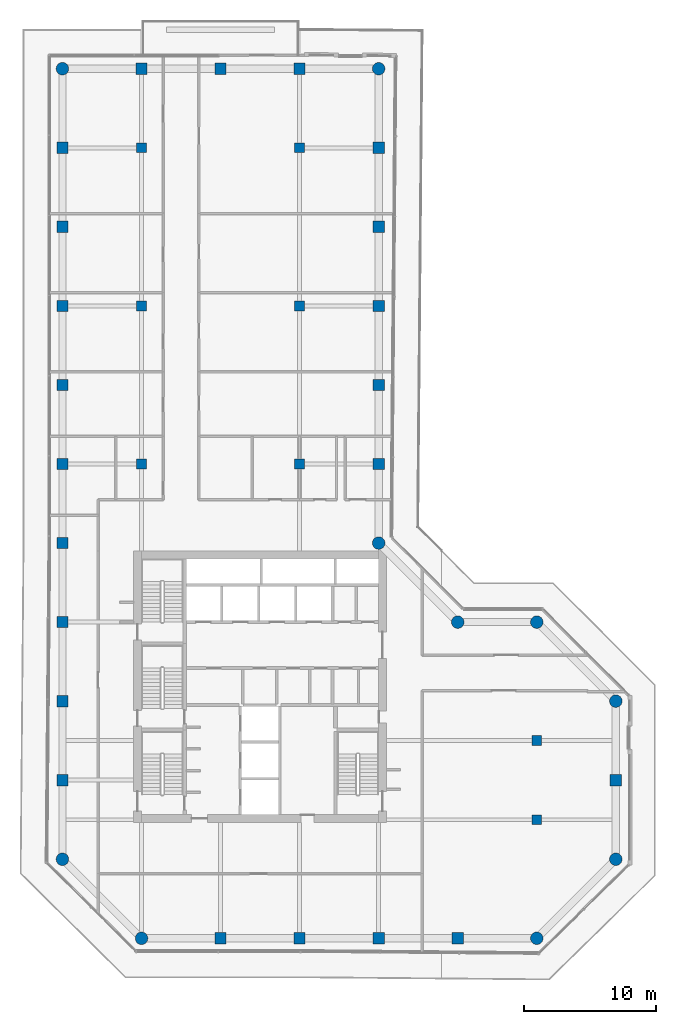
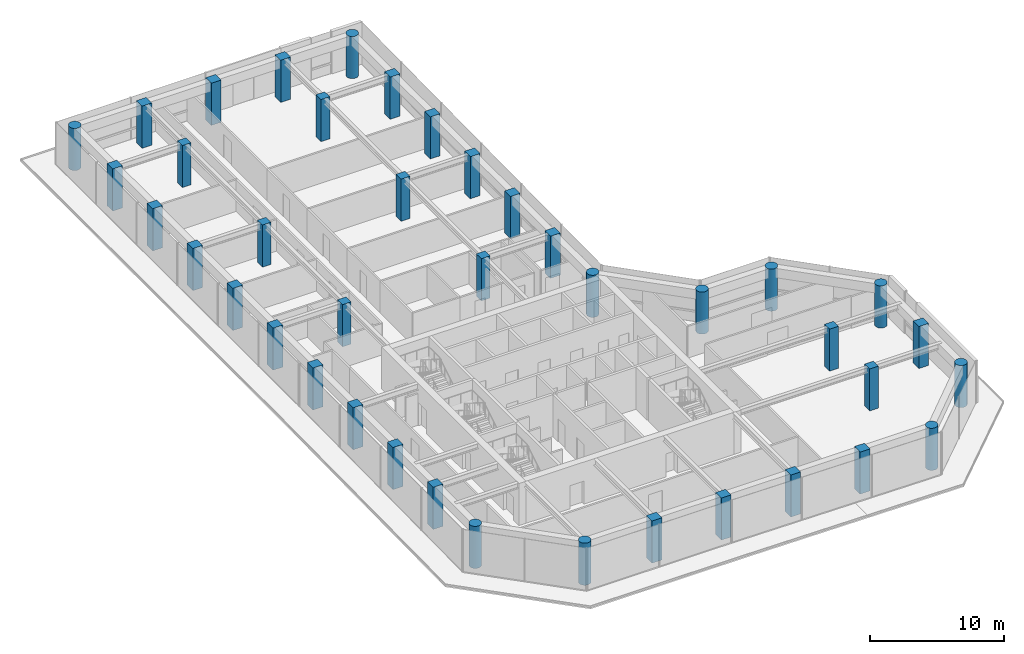
# One storey, part 1 of 19: 40 columns.
"""IFC4 building model written with IfcOpenShell, lengths in metres."""

from ifc_helpers import new_model, si_unit, direction, frame, origin, origin_2d, place, context, subcontext, project, spatial, rectangle, circle, extrude, material, material_profile, profile_set, type_object, element, save


model = new_model("IFC4")

# Units and contexts
model_context = context("Model", 3, precision=1e-05, world=origin(), true_north=direction((0.0, 1.0)))
body_context = subcontext(model_context, "Body", "Model", "MODEL_VIEW")
ifc_project = project(units=[si_unit("LENGTHUNIT", "METRE"), si_unit("AREAUNIT", "SQUARE_METRE"), si_unit("VOLUMEUNIT", "CUBIC_METRE"), si_unit("PLANEANGLEUNIT", "RADIAN"), si_unit("MASSUNIT", "GRAM", prefix="KILO")], contexts=[model_context])

# Site, building, storey
site_placement = place(None, origin())
site = spatial("IfcSite", under=ifc_project, at=site_placement, CompositionType="ELEMENT")
building_placement = place(site_placement, origin())
building = spatial("IfcBuilding", under=site, at=building_placement, Name="Welwitschia Terrace Campus", CompositionType="ELEMENT")
storey_placement = place(building_placement, frame((0.0, 0.0, 167.60009765625)))
storey = spatial("IfcBuildingStorey", under=building, at=storey_placement, Name="L37", CompositionType="ELEMENT", Elevation=167.60009765625)

# Columns
ifc_material_1 = material(Name="Concrete C50/60", Category="concrete")
ifc_material_profile_1 = material_profile(ifc_material_1, circle(Radius=0.47509765625, at=origin_2d()))
ifc_profile_set_1 = profile_set([ifc_material_profile_1], Name="Concrete C50/60")
column_type_1 = type_object("IfcColumnType", Name="Corner column 950 dia", PredefinedType="COLUMN", material=ifc_profile_set_1)
for number, where, z_axis, x_axis, name in (
    (1, (0.0, 2.0, 0.0), (0.0, 0.0, 1.0), (1.0, 0.0, 0.0), "Column C24"),
    (2, (0.0, 62.0, 0.0), (0.0, 0.0, 1.0), (1.0, 0.0, 0.0), "Column C24"),
    (3, (6.0, -4.0, 0.0), (0.0, 0.0, 1.0), (1.0, 0.0, 0.0), "Column C24"),
    (4, (24.0, 26.0, 0.0), (0.0, 0.0, 1.0), (1.0, 0.0, 0.0), "Column C24"),
    (5, (24.0, 62.0, 0.0), (0.0, 0.0, 1.0), (1.0, 0.0, 0.0), "Column C24"),
    (6, (30.0, 20.0, 0.0), (0.0, 0.0, 1.0), (1.0, 0.0, 0.0), "Column C24"),
    (7, (36.0, -4.0, 0.0), (0.0, 0.0, 1.0), (1.0, 0.0, 0.0), "Column C24"),
    (8, (36.0, 20.0, 0.0), (0.0, 0.0, 1.0), (1.0, 0.0, 0.0), "Column C24"),
    (9, (42.0, 2.0, 0.0), (0.0, 0.0, 1.0), (1.0, 0.0, 0.0), "Column C24"),
    (10, (42.0, 14.0, 0.0), (0.0, 0.0, 1.0), (1.0, 0.0, 0.0), "Column C24"),
):
    element("IfcColumn", number, at=place(storey_placement, frame(where, z_axis=z_axis, x_axis=x_axis)), inside=storey, type_object=column_type_1, Name=name, PredefinedType="COLUMN", context=body_context, shape_type="SweptSolid", body=[
        extrude(circle(Radius=0.47509765625, at=origin_2d()), origin(), (0.0, 0.0, 1.0), 3.849853515625),
    ])
ifc_material_2 = material(Name="Concrete C50/60", Category="concrete")
ifc_material_profile_2 = material_profile(ifc_material_2, rectangle(XDim=0.75, YDim=0.75, at=origin_2d()))
ifc_profile_set_2 = profile_set([ifc_material_profile_2], Name="Concrete C50/60")
column_type_2 = type_object("IfcColumnType", Name="Interior column 750x750", PredefinedType="COLUMN", material=ifc_profile_set_2)
for number, where, z_axis, x_axis, name in (
    (11, (6.0, 32.0, 0.0), (0.0, 0.0, 1.0), (1.0, 0.0, 0.0), "Column C25"),
    (12, (6.0, 44.0, 0.0), (0.0, 0.0, 1.0), (1.0, 0.0, 0.0), "Column C25"),
    (13, (6.0, 56.0, 0.0), (0.0, 0.0, 1.0), (1.0, 0.0, 0.0), "Column C25"),
    (14, (18.0, 32.0, 0.0), (0.0, 0.0, 1.0), (1.0, 0.0, 0.0), "Column C25"),
    (15, (18.0, 44.0, 0.0), (0.0, 0.0, 1.0), (1.0, 0.0, 0.0), "Column C25"),
    (16, (18.0, 56.0, 0.0), (0.0, 0.0, 1.0), (1.0, 0.0, 0.0), "Column C25"),
    (17, (36.0, 5.0, 0.0), (0.0, 0.0, 1.0), (1.0, 0.0, 0.0), "Column C25"),
    (18, (36.0, 11.0, 0.0), (0.0, 0.0, 1.0), (1.0, 0.0, 0.0), "Column C25"),
):
    element("IfcColumn", number, at=place(storey_placement, frame(where, z_axis=z_axis, x_axis=x_axis)), inside=storey, type_object=column_type_2, Name=name, PredefinedType="COLUMN", context=body_context, shape_type="SweptSolid", body=[
        extrude(rectangle(XDim=0.75, YDim=0.75, at=origin_2d()), origin(), (0.0, 0.0, 1.0), 3.849853515625),
    ])
ifc_material_3 = material(Name="Concrete C50/60", Category="concrete")
ifc_material_profile_3 = material_profile(ifc_material_3, rectangle(XDim=0.85009765625, YDim=0.85009765625, at=origin_2d()))
ifc_profile_set_3 = profile_set([ifc_material_profile_3], Name="Concrete C50/60")
column_type_3 = type_object("IfcColumnType", Name="Ring column 850x850", PredefinedType="COLUMN", material=ifc_profile_set_3)
for number, where, z_axis, x_axis, name in (
    (19, (0.0, 8.0, 0.0), (0.0, 0.0, 1.0), (1.0, 0.0, 0.0), "Column C23"),
    (20, (0.0, 14.0, 0.0), (0.0, 0.0, 1.0), (1.0, 0.0, 0.0), "Column C23"),
    (21, (0.0, 20.0, 0.0), (0.0, 0.0, 1.0), (1.0, 0.0, 0.0), "Column C23"),
    (22, (0.0, 26.0, 0.0), (0.0, 0.0, 1.0), (1.0, 0.0, 0.0), "Column C23"),
    (23, (0.0, 32.0, 0.0), (0.0, 0.0, 1.0), (1.0, 0.0, 0.0), "Column C23"),
    (24, (0.0, 38.0, 0.0), (0.0, 0.0, 1.0), (1.0, 0.0, 0.0), "Column C23"),
    (25, (0.0, 44.0, 0.0), (0.0, 0.0, 1.0), (1.0, 0.0, 0.0), "Column C23"),
    (26, (0.0, 50.0, 0.0), (0.0, 0.0, 1.0), (1.0, 0.0, 0.0), "Column C23"),
    (27, (0.0, 56.0, 0.0), (0.0, 0.0, 1.0), (1.0, 0.0, 0.0), "Column C23"),
    (28, (6.0, 62.0, 0.0), (0.0, 0.0, 1.0), (1.0, 0.0, 0.0), "Column C23"),
    (29, (12.0, -4.0, 0.0), (0.0, 0.0, 1.0), (1.0, 0.0, 0.0), "Column C23"),
    (30, (12.0, 62.0, 0.0), (0.0, 0.0, 1.0), (1.0, 0.0, 0.0), "Column C23"),
    (31, (18.0, -4.0, 0.0), (0.0, 0.0, 1.0), (1.0, 0.0, 0.0), "Column C23"),
    (32, (18.0, 62.0, 0.0), (0.0, 0.0, 1.0), (1.0, 0.0, 0.0), "Column C23"),
    (33, (24.0, -4.0, 0.0), (0.0, 0.0, 1.0), (1.0, 0.0, 0.0), "Column C23"),
    (34, (24.0, 32.0, 0.0), (0.0, 0.0, 1.0), (1.0, 0.0, 0.0), "Column C23"),
    (35, (24.0, 38.0, 0.0), (0.0, 0.0, 1.0), (1.0, 0.0, 0.0), "Column C23"),
    (36, (24.0, 44.0, 0.0), (0.0, 0.0, 1.0), (1.0, 0.0, 0.0), "Column C23"),
    (37, (24.0, 50.0, 0.0), (0.0, 0.0, 1.0), (1.0, 0.0, 0.0), "Column C23"),
    (38, (24.0, 56.0, 0.0), (0.0, 0.0, 1.0), (1.0, 0.0, 0.0), "Column C23"),
    (39, (30.0, -4.0, 0.0), (0.0, 0.0, 1.0), (1.0, 0.0, 0.0), "Column C23"),
    (40, (42.0, 8.0, 0.0), (0.0, 0.0, 1.0), (1.0, 0.0, 0.0), "Column C23"),
):
    element("IfcColumn", number, at=place(storey_placement, frame(where, z_axis=z_axis, x_axis=x_axis)), inside=storey, type_object=column_type_3, Name=name, PredefinedType="COLUMN", context=body_context, shape_type="SweptSolid", body=[
        extrude(rectangle(XDim=0.85009765625, YDim=0.85009765625, at=origin_2d()), origin(), (0.0, 0.0, 1.0), 3.849853515625),
    ])

save(model, "model.ifc")
